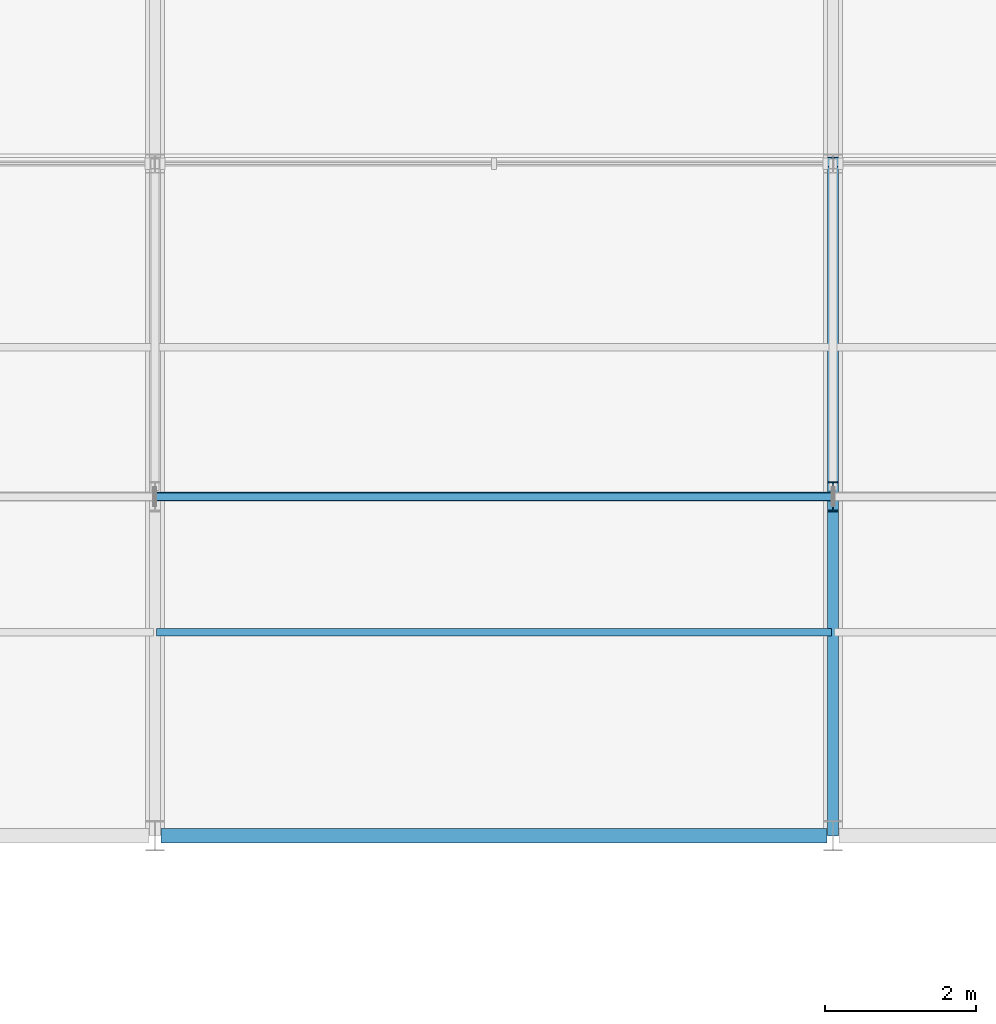
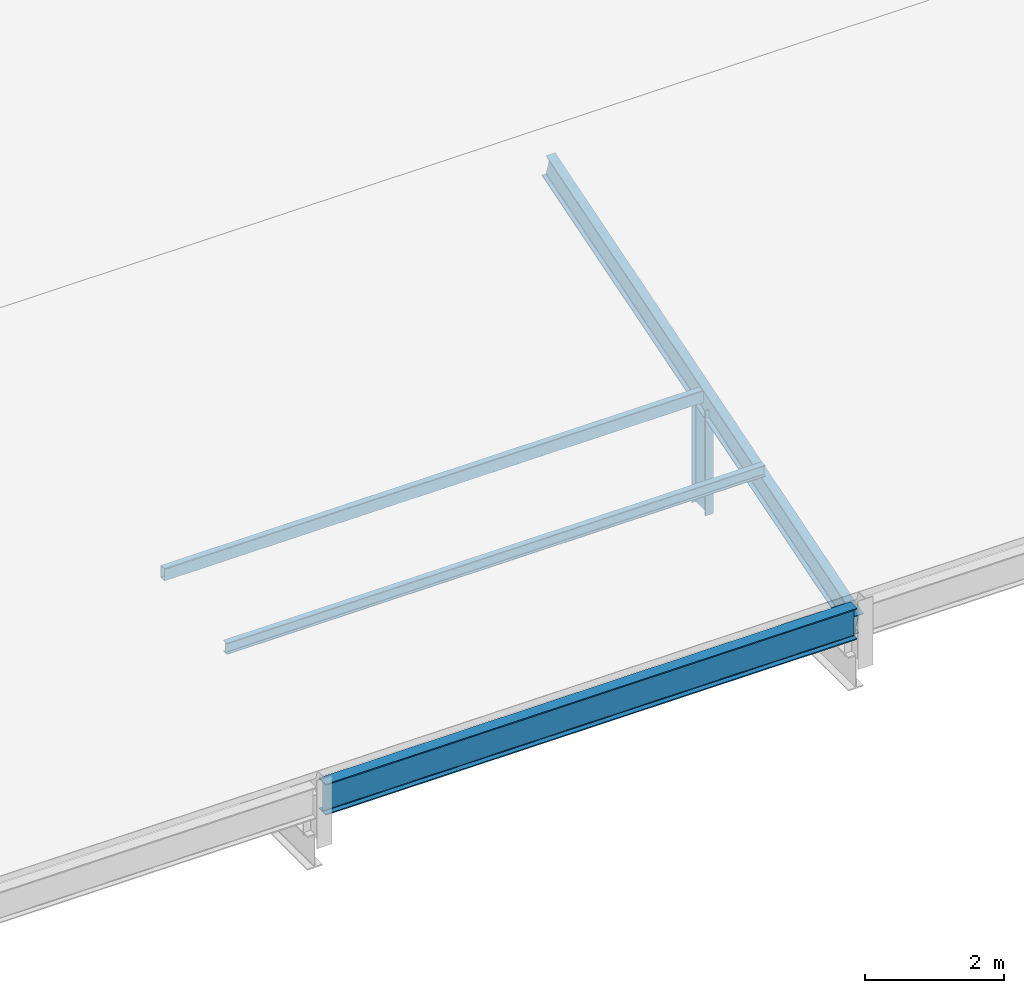
# One storey, part 62 of 163: 4 members, 1 beam.
"""IFC4 building model written with IfcOpenShell, lengths in metres."""

from ifc_helpers import new_model, si_unit, direction, frame, origin, origin_2d, place, context, subcontext, project, spatial, hollow_rectangle, i_section, extrude, material, material_profile, profile_set, type_object, element, save


model = new_model("IFC4")

# Units and contexts
model_context = context("Model", 3, precision=1e-05, world=origin(), true_north=direction((0.0, 1.0)))
body_context = subcontext(model_context, "Body", "Model", "MODEL_VIEW")
ifc_project = project(units=[si_unit("LENGTHUNIT", "METRE"), si_unit("AREAUNIT", "SQUARE_METRE"), si_unit("VOLUMEUNIT", "CUBIC_METRE"), si_unit("PLANEANGLEUNIT", "RADIAN"), si_unit("MASSUNIT", "GRAM", prefix="KILO")], contexts=[model_context])

# Site, building, storey
site_placement = place(None, origin())
site = spatial("IfcSite", under=ifc_project, at=site_placement, CompositionType="ELEMENT")
building_placement = place(site_placement, origin())
building = spatial("IfcBuilding", under=site, at=building_placement, Name="Tharagai Park Tramway Depot", CompositionType="ELEMENT")
storey_placement = place(building_placement, frame((0.0, 0.0, 8.39990234375)))
storey = spatial("IfcBuildingStorey", under=building, at=storey_placement, Name="L02", CompositionType="ELEMENT", Elevation=8.39990234375)

# Beam
ifc_material_1 = material(Name="Steel E350", Category="steel")
ifc_material_profile_1 = material_profile(ifc_material_1, i_section(OverallWidth=0.18994140625, OverallDepth=0.550048828125, WebThickness=0.01123046875, FlangeThickness=0.019287109375, FilletRadius=0.01806640625, at=origin_2d()), Name="ISMB 550")
ifc_profile_set_1 = profile_set([ifc_material_profile_1], Name="Steel E350")
beam_type = type_object("IfcBeamType", Name="BM-09", PredefinedType="BEAM", material=ifc_profile_set_1)
beam_placement = place(storey_placement, frame((117.080078125, 90.0, 0.72509765625), z_axis=(1.0, 0.0, 0.0), x_axis=(0.0, 1.0, 0.0)))
element("IfcBeam", 1, at=beam_placement, inside=storey, type_object=beam_type, Name="Sawtooth Valley Girder BM-09", PredefinedType="BEAM", context=body_context, shape_type="SweptSolid", body=[
    extrude(i_section(OverallWidth=0.18994140625, OverallDepth=0.550048828125, WebThickness=0.01123046875, FlangeThickness=0.019287109375, FilletRadius=0.01806640625, at=origin_2d()), origin(), (0.0, 0.0, 1.0), 8.83984375),
])

# Members
ifc_material_2 = material(Name="Steel E250", Category="steel")
ifc_material_profile_2 = material_profile(ifc_material_2, i_section(OverallWidth=0.10009765625, OverallDepth=0.199951171875, WebThickness=0.005615234375, FlangeThickness=0.0107421875, FilletRadius=0.010986328125, at=origin_2d()), Name="ISMB 200")
ifc_profile_set_2 = profile_set([ifc_material_profile_2], Name="Steel E250")
member_type_1 = type_object("IfcMemberType", Name="PR-04", PredefinedType="PURLIN", material=ifc_profile_set_2)
member_1_placement = place(storey_placement, frame((117.02001953125, 92.699951171875, 1.733154296875), z_axis=(1.0, 0.0, 0.0), x_axis=(0.0, 1.0, 0.0)))
element("IfcMember", 2, at=member_1_placement, inside=storey, type_object=member_type_1, Name="Sawtooth Roof Purlin PR-04", PredefinedType="PURLIN", context=body_context, shape_type="SweptSolid", body=[
    extrude(i_section(OverallWidth=0.10009765625, OverallDepth=0.199951171875, WebThickness=0.005615234375, FlangeThickness=0.0107421875, FilletRadius=0.010986328125, at=origin_2d()), origin(), (0.0, 0.0, 1.0), 8.9599609375),
])
ifc_material_profile_3 = material_profile(ifc_material_1, hollow_rectangle(XDim=0.1201171875, YDim=0.219970703125, WallThickness=0.008056640625, InnerFilletRadius=0.008056640625, OuterFilletRadius=0.01611328125, at=origin_2d()), Name="RHS 220x120x8")
ifc_profile_set_3 = profile_set([ifc_material_profile_3], Name="Steel E350")
member_type_2 = type_object("IfcMemberType", Name="TC-03", PredefinedType="CHORD", material=ifc_profile_set_3)
member_2_placement = place(storey_placement, frame((117.02001953125, 94.5, 1.946533203125), z_axis=(1.0, 0.0, 0.0), x_axis=(0.0, 1.0, 0.0)))
element("IfcMember", 3, at=member_2_placement, inside=storey, type_object=member_type_2, Name="Sawtooth Tubular Tie Strut TC-03", PredefinedType="CHORD", context=body_context, shape_type="SweptSolid", body=[
    extrude(hollow_rectangle(XDim=0.1201171875, YDim=0.219970703125, WallThickness=0.008056640625, InnerFilletRadius=0.008056640625, OuterFilletRadius=0.01611328125, at=origin_2d()), origin(), (0.0, 0.0, 1.0), 8.9599609375),
])
ifc_material_profile_4 = material_profile(ifc_material_1, i_section(OverallWidth=0.14990234375, OverallDepth=0.449951171875, WebThickness=0.009521484375, FlangeThickness=0.017333984375, FilletRadius=0.014892578125, at=origin_2d()), Name="ISMB 450")
ifc_profile_set_4 = profile_set([ifc_material_profile_4], Name="Steel E350")
member_type_3 = type_object("IfcMemberType", Name="TC-05", PredefinedType="CHORD", material=ifc_profile_set_4)
member_3_placement = place(storey_placement, frame((126.0, 90.06005859375, 0.587890625), z_axis=(0.0, 0.956231486327, 0.29261125159), x_axis=(-1.0, 0.0, 0.0)))
element("IfcMember", 4, at=member_3_placement, inside=storey, type_object=member_type_3, Name="Sawtooth Top Chord TC-05", PredefinedType="CHORD", context=body_context, shape_type="SweptSolid", body=[
    extrude(i_section(OverallWidth=0.14990234375, OverallDepth=0.449951171875, WebThickness=0.009521484375, FlangeThickness=0.017333984375, FilletRadius=0.014892578125, at=origin_2d()), origin(), (0.0, 0.0, 1.0), 9.286376953125),
])
ifc_material_profile_5 = material_profile(ifc_material_1, i_section(OverallWidth=0.139892578125, OverallDepth=0.39990234375, WebThickness=0.0087890625, FlangeThickness=0.01611328125, FilletRadius=0.013916015625, at=origin_2d()), Name="ISMB 400")
ifc_profile_set_5 = profile_set([ifc_material_profile_5], Name="Steel E350")
member_type_4 = type_object("IfcMemberType", Name="TC-06", PredefinedType="CHORD", material=ifc_profile_set_5)
member_4_placement = place(storey_placement, frame((126.0, 94.5, -0.0498046875), z_axis=(0.0, 0.0, 1.0), x_axis=(1.0, 0.0, 0.0)))
element("IfcMember", 5, at=member_4_placement, inside=storey, type_object=member_type_4, Name="Sawtooth Mid-Tooth Strut TC-06", PredefinedType="CHORD", context=body_context, shape_type="SweptSolid", body=[
    extrude(i_section(OverallWidth=0.139892578125, OverallDepth=0.39990234375, WebThickness=0.0087890625, FlangeThickness=0.01611328125, FilletRadius=0.013916015625, at=origin_2d()), origin(), (0.0, 0.0, 1.0), 1.846435546875),
])

save(model, "model.ifc")
